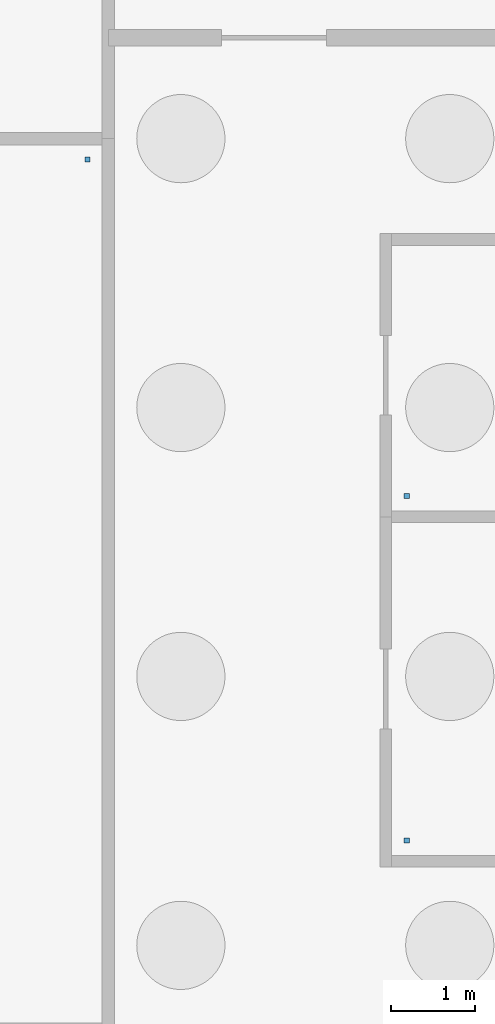
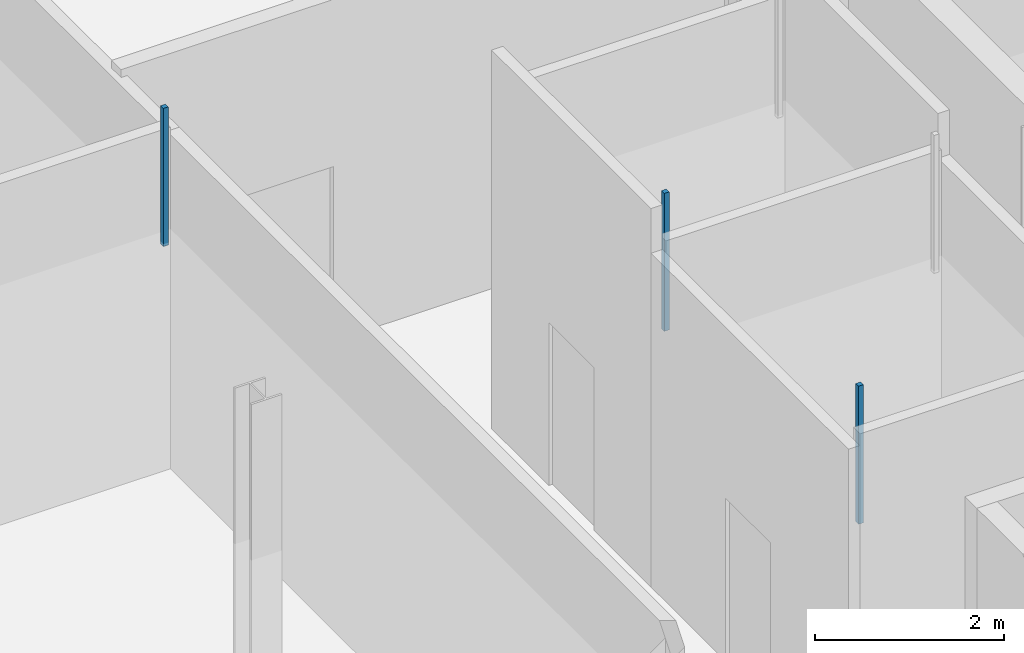
# One storey, part 70 of 111: 3 discrete accessories.
"""IFC4 building model written with IfcOpenShell, lengths in metres."""

from ifc_helpers import new_model, si_unit, direction, frame, origin, place, context, subcontext, project, spatial, polyline, outline, extrude, material, type_object, element, save


model = new_model("IFC4")

# Units and contexts
model_context = context("Model", 3, precision=1e-05, world=origin(), true_north=direction((0.0, 1.0)))
body_context = subcontext(model_context, "Body", "Model", "MODEL_VIEW")
ifc_project = project(units=[si_unit("LENGTHUNIT", "METRE"), si_unit("AREAUNIT", "SQUARE_METRE"), si_unit("VOLUMEUNIT", "CUBIC_METRE"), si_unit("PLANEANGLEUNIT", "RADIAN"), si_unit("MASSUNIT", "GRAM", prefix="KILO")], contexts=[model_context])

# Site, building, storey
site_placement = place(None, origin())
site = spatial("IfcSite", under=ifc_project, at=site_placement, CompositionType="ELEMENT")
building_placement = place(site_placement, origin())
building = spatial("IfcBuilding", under=site, at=building_placement, Name="Dunescarp Central Library", CompositionType="ELEMENT")
storey_placement = place(building_placement, origin())
storey = spatial("IfcBuildingStorey", under=building, at=storey_placement, Name="L00", CompositionType="ELEMENT", Elevation=0.0)

# Discrete accessories
ifc_material = material(Name="Stainless steel Grade 316L", Category="steel")
discrete_accessory_type = type_object("IfcDiscreteAccessoryType", Name="ARC-ACC-BRK", PredefinedType="BRACKET", material=ifc_material)
discrete_accessory_1_placement = place(storey_placement, frame((0.0, 0.0, 3.06005859375)))
element("IfcDiscreteAccessory", 1, at=discrete_accessory_1_placement, inside=storey, type_object=discrete_accessory_type, Name="L00 ceiling hanger CLG-L00-001-H1", PredefinedType="BRACKET", context=body_context, shape_type="SweptSolid", body=[
    extrude(outline(polyline([(29.719970703125, 18.02001953125), (29.780029296875, 18.02001953125), (29.780029296875, 18.080078125), (29.719970703125, 18.080078125), (29.719970703125, 18.02001953125)])), origin(), (0.0, 0.0, 1.0), 1.780029296875),
])
discrete_accessory_2_placement = place(storey_placement, frame((0.0, 0.0, 3.06005859375)))
element("IfcDiscreteAccessory", 2, at=discrete_accessory_2_placement, inside=storey, type_object=discrete_accessory_type, Name="L00 ceiling hanger CLG-L00-002-H1", PredefinedType="BRACKET", context=body_context, shape_type="SweptSolid", body=[
    extrude(outline(polyline([(29.719970703125, 22.1201171875), (29.780029296875, 22.1201171875), (29.780029296875, 22.179931640625), (29.719970703125, 22.179931640625), (29.719970703125, 22.1201171875)])), origin(), (0.0, 0.0, 1.0), 1.780029296875),
])
discrete_accessory_3_placement = place(storey_placement, frame((0.0, 0.0, 3.06005859375)))
element("IfcDiscreteAccessory", 3, at=discrete_accessory_3_placement, inside=storey, type_object=discrete_accessory_type, Name="L00 ceiling hanger CLG-L00-005-H2", PredefinedType="BRACKET", context=body_context, shape_type="SweptSolid", body=[
    extrude(outline(polyline([(25.919921875, 26.1201171875), (25.97998046875, 26.1201171875), (25.97998046875, 26.179931640625), (25.919921875, 26.179931640625), (25.919921875, 26.1201171875)])), origin(), (0.0, 0.0, 1.0), 1.780029296875),
])

save(model, "model.ifc")
